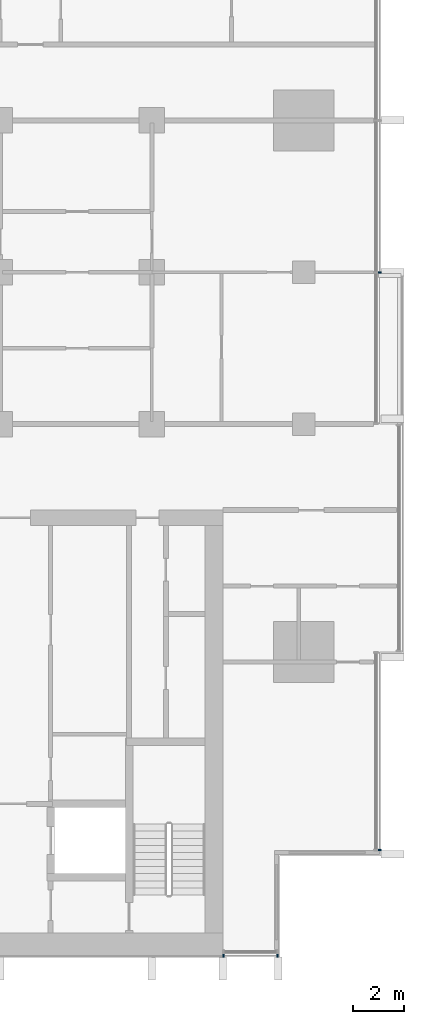
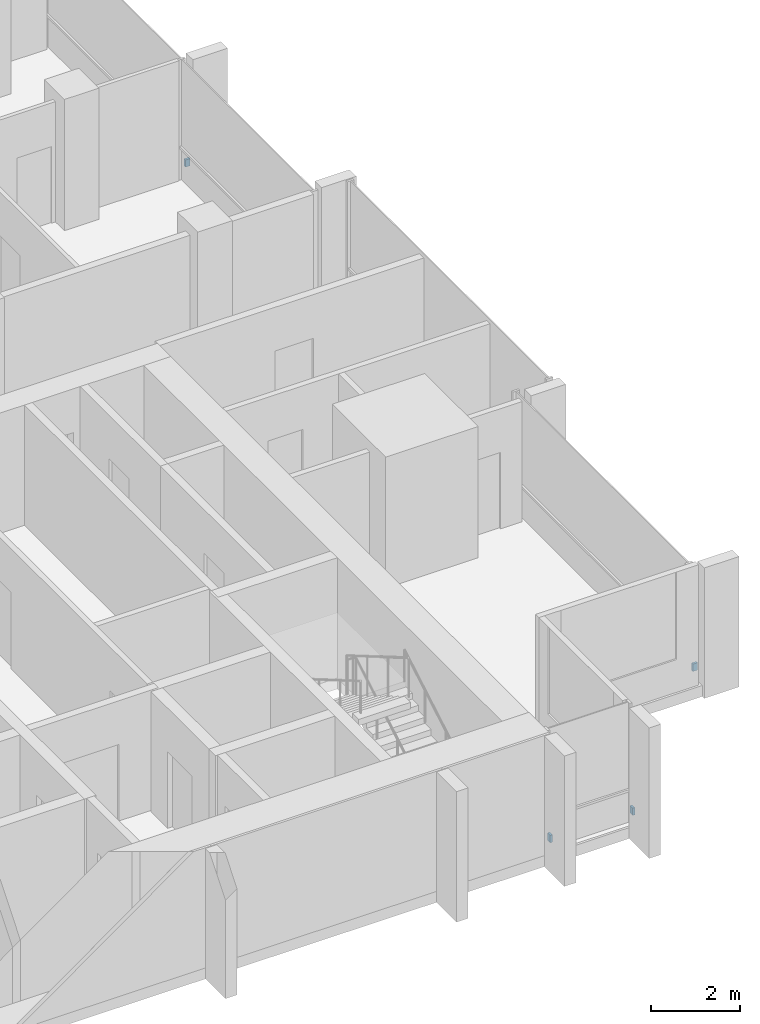
# One storey, part 14 of 17: 4 discrete accessories.
"""IFC4 building model written with IfcOpenShell, lengths in metres."""

from ifc_helpers import new_model, si_unit, direction, frame, origin, origin_2d, place, context, subcontext, project, spatial, rectangle, extrude, material, type_object, element, save


model = new_model("IFC4")

# Units and contexts
model_context = context("Model", 3, precision=1e-05, world=origin(), true_north=direction((0.0, 1.0)))
body_context = subcontext(model_context, "Body", "Model", "MODEL_VIEW")
ifc_project = project(units=[si_unit("LENGTHUNIT", "METRE"), si_unit("AREAUNIT", "SQUARE_METRE"), si_unit("VOLUMEUNIT", "CUBIC_METRE"), si_unit("PLANEANGLEUNIT", "RADIAN"), si_unit("MASSUNIT", "GRAM", prefix="KILO")], contexts=[model_context])

# Site, building, storey
site_placement = place(None, origin())
site = spatial("IfcSite", under=ifc_project, at=site_placement, CompositionType="ELEMENT")
building_placement = place(site_placement, origin())
building = spatial("IfcBuilding", under=site, at=building_placement, Name="Finial Court Residences", CompositionType="ELEMENT")
storey_placement = place(building_placement, frame((0.0, 0.0, 174.5)))
storey = spatial("IfcBuildingStorey", under=building, at=storey_placement, Name="L43", CompositionType="ELEMENT", Elevation=174.5)

# Discrete accessories
ifc_material = material(Name="Stainless steel 316", Category="steel")
discrete_accessory_type = type_object("IfcDiscreteAccessoryType", Name="Fin bracket, stainless steel 60 x 122 x 200", PredefinedType="BRACKET", material=ifc_material)
for number, where, z_axis, x_axis, name in (
    (1, (19.498779296875, -21.320068359375, 0.2998046875), (0.0, 0.0, 1.0), (1.0, 0.0, 0.0), "E-L43-FIN-E7-BRK"),
    (2, (19.498779296875, 1.5, 0.2998046875), (0.0, 0.0, 1.0), (1.0, 0.0, 0.0), "E-L43-FIN-E10-BRK"),
):
    element("IfcDiscreteAccessory", number, at=place(storey_placement, frame(where, z_axis=z_axis, x_axis=x_axis)), inside=storey, type_object=discrete_accessory_type, Name=name, PredefinedType="BRACKET", context=body_context, shape_type="SweptSolid", body=[
        extrude(rectangle(XDim=0.12255859375, YDim=0.06005859375, at=origin_2d()), origin(), (0.0, 0.0, 1.0), 0.199951171875),
    ])
for number, where, z_axis, x_axis, name in (
    (3, (13.330078125, -25.498779296875, 0.2998046875), (0.0, 0.0, 1.0), (1.0, 0.0, 0.0), "E-L43-FIN-S20-BRK"),
    (4, (15.469970703125, -25.498779296875, 0.2998046875), (0.0, 0.0, 1.0), (1.0, 0.0, 0.0), "E-L43-FIN-S21-BRK"),
):
    element("IfcDiscreteAccessory", number, at=place(storey_placement, frame(where, z_axis=z_axis, x_axis=x_axis)), inside=storey, type_object=discrete_accessory_type, Name=name, PredefinedType="BRACKET", context=body_context, shape_type="SweptSolid", body=[
        extrude(rectangle(XDim=0.06005859375, YDim=0.12255859375, at=origin_2d()), origin(), (0.0, 0.0, 1.0), 0.199951171875),
    ])

save(model, "model.ifc")
